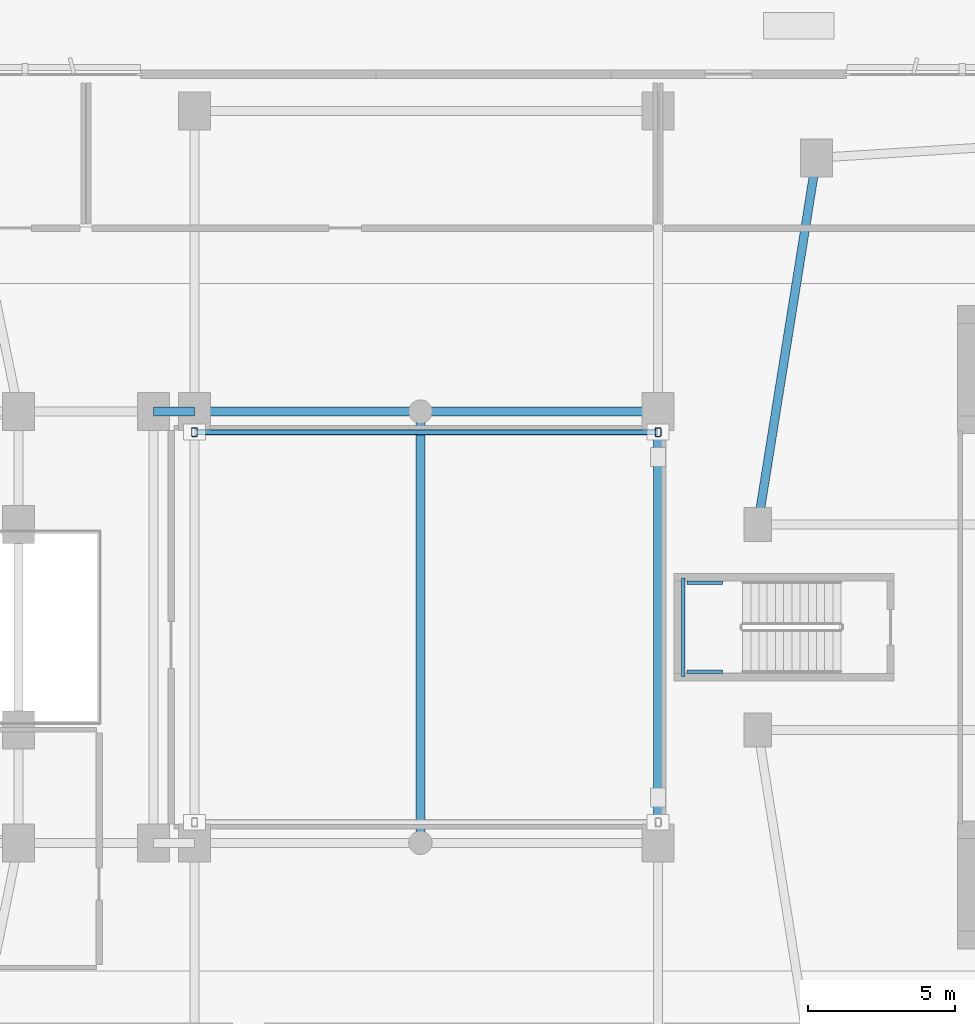
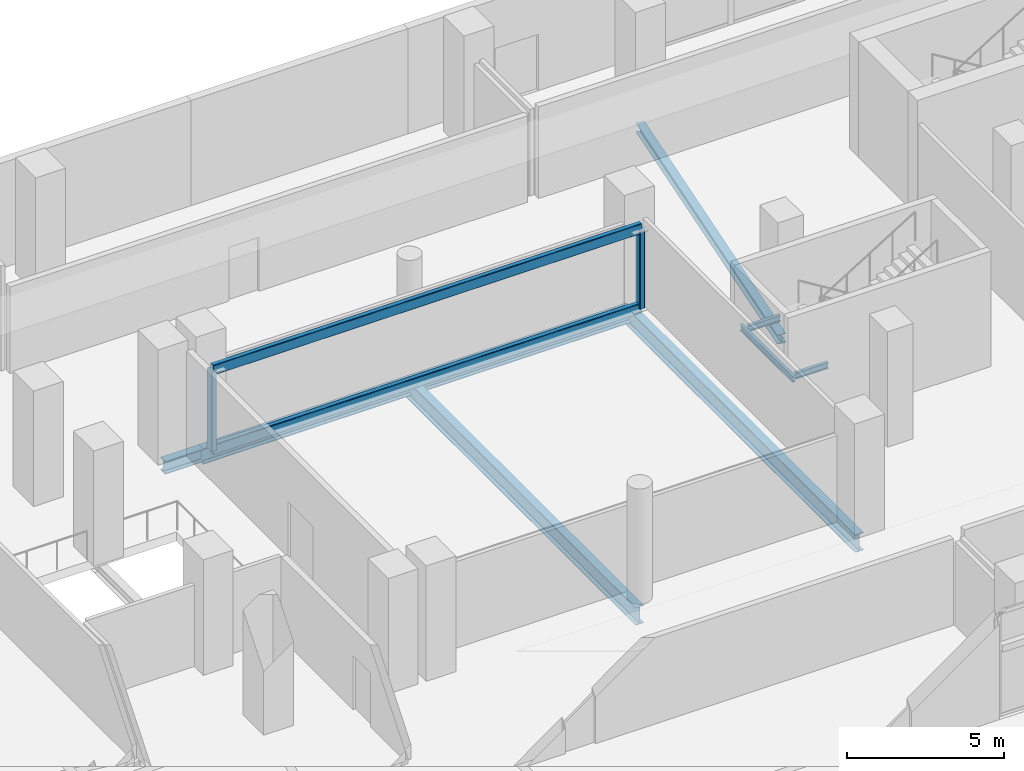
# One storey, part 6 of 31: 9 beams, 4 members.
"""IFC4 building model written with IfcOpenShell, lengths in metres."""

from ifc_helpers import new_model, si_unit, derived_unit, direction, frame, origin, origin_2d, place, context, subcontext, project, spatial, hollow_rectangle, i_section, extrude, material, material_profile, profile_set, type_object, element, save


model = new_model("IFC4")

# Units and contexts
model_context = context("Model", 3, precision=1e-05, world=origin(), true_north=direction((0.0, 1.0)))
body_context = subcontext(model_context, "Body", "Model", "MODEL_VIEW")
ifc_project = project(units=[si_unit("LENGTHUNIT", "METRE"), si_unit("AREAUNIT", "SQUARE_METRE"), si_unit("VOLUMEUNIT", "CUBIC_METRE"), si_unit("PLANEANGLEUNIT", "RADIAN"), si_unit("MASSUNIT", "GRAM", prefix="KILO"), derived_unit("THERMALTRANSMITTANCEUNIT", [(si_unit("POWERUNIT", "WATT"), 1), (si_unit("LENGTHUNIT", "METRE"), -2), (si_unit("THERMODYNAMICTEMPERATUREUNIT", "KELVIN"), -1)])], contexts=[model_context])

# Site, building, storey
site_placement = place(None, origin())
site = spatial("IfcSite", under=ifc_project, at=site_placement, CompositionType="ELEMENT")
building_placement = place(site_placement, origin())
building = spatial("IfcBuilding", under=site, at=building_placement, Name="Kivonza Crest Hotel", CompositionType="ELEMENT")
storey_placement = place(building_placement, frame((0.0, 0.0, 15.0)))
storey = spatial("IfcBuildingStorey", under=building, at=storey_placement, Name="L03", CompositionType="ELEMENT", Elevation=15.0)

# Beams
ifc_material = material(Name="Steel S355", Category="steel")
ifc_material_profile_1 = material_profile(ifc_material, i_section(OverallWidth=0.300048828125, OverallDepth=0.360107421875, WebThickness=0.012451171875, FlangeThickness=0.0224609375, FilletRadius=0.027099609375, at=origin_2d()), Name="HEB 360")
ifc_profile_set_1 = profile_set([ifc_material_profile_1], Name="Steel S355")
beam_type_1 = type_object("IfcBeamType", Name="BM-HEB360", PredefinedType="SPANDREL", material=ifc_profile_set_1)
beam_1_placement = place(storey_placement, frame((63.0, 41.0, -0.530029296875), z_axis=(-0.157990501107, -0.987440631917, 0.0), x_axis=(0.987440631917, -0.157990501107, 0.0)))
element("IfcBeam", 1, at=beam_1_placement, inside=storey, type_object=beam_type_1, Name="Companion Tower T2 L03 perimeter spandrel NW-W2", PredefinedType="SPANDREL", context=body_context, shape_type="SweptSolid", body=[
    extrude(i_section(OverallWidth=0.300048828125, OverallDepth=0.360107421875, WebThickness=0.012451171875, FlangeThickness=0.0224609375, FilletRadius=0.027099609375, at=origin_2d()), origin(), (0.0, 0.0, 1.0), 12.658935546875),
])
ifc_material_profile_2 = material_profile(ifc_material, i_section(OverallWidth=0.300048828125, OverallDepth=0.5, WebThickness=0.014404296875, FlangeThickness=0.028076171875, FilletRadius=0.027099609375, at=origin_2d()), Name="HEB 500")
ifc_profile_set_2 = profile_set([ifc_material_profile_2], Name="Steel S355")
beam_type_2 = type_object("IfcBeamType", Name="BM-HEB500", PredefinedType="BEAM", material=ifc_profile_set_2)
beam_2_placement = place(storey_placement, frame((40.39990234375, 32.35009765625, -0.60009765625), z_axis=(1.0, 0.0, 0.0), x_axis=(0.0, 1.0, 0.0)))
element("IfcBeam", 2, at=beam_2_placement, inside=storey, type_object=beam_type_2, Name="L03 podium girder X 21", PredefinedType="BEAM", context=body_context, shape_type="SweptSolid", body=[
    extrude(i_section(OverallWidth=0.300048828125, OverallDepth=0.5, WebThickness=0.014404296875, FlangeThickness=0.028076171875, FilletRadius=0.027099609375, at=origin_2d()), origin(), (0.0, 0.0, 1.0), 1.400146484375),
])
ifc_material_profile_3 = material_profile(ifc_material, i_section(OverallWidth=0.300048828125, OverallDepth=0.60009765625, WebThickness=0.015380859375, FlangeThickness=0.030029296875, FilletRadius=0.027099609375, at=origin_2d()), Name="HEB 600")
ifc_profile_set_3 = profile_set([ifc_material_profile_3], Name="Steel S355")
beam_type_3 = type_object("IfcBeamType", Name="BM-HEB600", PredefinedType="BEAM", material=ifc_profile_set_3)
beam_3_placement = place(storey_placement, frame((41.800048828125, 32.35009765625, -0.64990234375), z_axis=(1.0, 0.0, 0.0), x_axis=(0.0, 1.0, 0.0)))
element("IfcBeam", 3, at=beam_3_placement, inside=storey, type_object=beam_type_3, Name="L03 podium girder X 22", PredefinedType="BEAM", context=body_context, shape_type="SweptSolid", body=[
    extrude(i_section(OverallWidth=0.300048828125, OverallDepth=0.60009765625, WebThickness=0.015380859375, FlangeThickness=0.030029296875, FilletRadius=0.027099609375, at=origin_2d()), origin(), (0.0, 0.0, 1.0), 7.699951171875),
])
beam_4_placement = place(storey_placement, frame((49.5, 32.35009765625, -0.64990234375), z_axis=(1.0, 0.0, 0.0), x_axis=(0.0, 1.0, 0.0)))
element("IfcBeam", 4, at=beam_4_placement, inside=storey, type_object=beam_type_3, Name="L03 podium girder X 23", PredefinedType="BEAM", context=body_context, shape_type="SweptSolid", body=[
    extrude(i_section(OverallWidth=0.300048828125, OverallDepth=0.60009765625, WebThickness=0.015380859375, FlangeThickness=0.030029296875, FilletRadius=0.027099609375, at=origin_2d()), origin(), (0.0, 0.0, 1.0), 8.10009765625),
])
ifc_material_profile_4 = material_profile(ifc_material, i_section(OverallWidth=0.300048828125, OverallDepth=0.699951171875, WebThickness=0.01708984375, FlangeThickness=0.031982421875, FilletRadius=0.027099609375, at=origin_2d()), Name="HEB 700")
ifc_profile_set_4 = profile_set([ifc_material_profile_4], Name="Steel S355")
beam_type_4 = type_object("IfcBeamType", Name="BM-HEB700", PredefinedType="BEAM", material=ifc_profile_set_4)
for number, where, z_axis, x_axis, name in (
    (5, (49.5, 17.64990234375, -0.699951171875), (0.0, 1.0, 0.0), (-1.0, 0.0, 0.0), "L03 podium girder Y 40"),
    (6, (57.60009765625, 17.64990234375, -0.699951171875), (0.0, 1.0, 0.0), (-1.0, 0.0, 0.0), "L03 podium girder Y 42"),
):
    element("IfcBeam", number, at=place(storey_placement, frame(where, z_axis=z_axis, x_axis=x_axis)), inside=storey, type_object=beam_type_4, Name=name, PredefinedType="BEAM", context=body_context, shape_type="SweptSolid", body=[
        extrude(i_section(OverallWidth=0.300048828125, OverallDepth=0.699951171875, WebThickness=0.01708984375, FlangeThickness=0.031982421875, FilletRadius=0.027099609375, at=origin_2d()), origin(), (0.0, 0.0, 1.0), 14.7001953125),
    ])
ifc_material_profile_5 = material_profile(ifc_material, i_section(OverallWidth=0.1201171875, OverallDepth=0.239990234375, WebThickness=0.006103515625, FlangeThickness=0.009765625, FilletRadius=0.014892578125, at=origin_2d()), Name="IPE 240")
ifc_profile_set_5 = profile_set([ifc_material_profile_5], Name="Steel S355")
beam_type_5 = type_object("IfcBeamType", Name="BM-LLDG-240", PredefinedType="BEAM", material=ifc_profile_set_5)
beam_5_placement = place(storey_placement, frame((58.4599609375, 23.320068359375, 1.929931640625), z_axis=(0.0, 1.0, 0.0), x_axis=(-1.0, 0.0, 0.0)))
element("IfcBeam", 7, at=beam_5_placement, inside=storey, type_object=beam_type_5, Name="Stair ST-POD-E L03 West landing corbel", PredefinedType="BEAM", context=body_context, shape_type="SweptSolid", body=[
    extrude(i_section(OverallWidth=0.1201171875, OverallDepth=0.239990234375, WebThickness=0.006103515625, FlangeThickness=0.009765625, FilletRadius=0.014892578125, at=origin_2d()), origin(), (0.0, 0.0, 1.0), 3.35986328125),
])
for number, where, z_axis, x_axis, name in (
    (8, (58.590087890625, 23.47998046875, 1.929931640625), (1.0, 0.0, 0.0), (0.0, 1.0, 0.0), "Stair ST-POD-E L03 South landing corbel"),
    (9, (58.590087890625, 26.52001953125, 1.929931640625), (1.0, 0.0, 0.0), (0.0, 1.0, 0.0), "Stair ST-POD-E L03 North landing corbel"),
):
    element("IfcBeam", number, at=place(storey_placement, frame(where, z_axis=z_axis, x_axis=x_axis)), inside=storey, type_object=beam_type_5, Name=name, PredefinedType="BEAM", context=body_context, shape_type="SweptSolid", body=[
        extrude(i_section(OverallWidth=0.1201171875, OverallDepth=0.239990234375, WebThickness=0.006103515625, FlangeThickness=0.009765625, FilletRadius=0.014892578125, at=origin_2d()), origin(), (0.0, 0.0, 1.0), 1.2099609375),
    ])

# Members
ifc_material_profile_6 = material_profile(ifc_material, hollow_rectangle(XDim=0.199951171875, YDim=0.39990234375, WallThickness=0.01611328125, InnerFilletRadius=0.02392578125, OuterFilletRadius=0.0400390625, at=origin_2d()), Name="RHS 400x200x16")
ifc_profile_set_6 = profile_set([ifc_material_profile_6], Name="Steel S355")
member_type_1 = type_object("IfcMemberType", Name="MB-CHORD-RHS400", PredefinedType="CHORD", material=ifc_profile_set_6)
for number, where, z_axis, x_axis, name in (
    (10, (41.800048828125, 31.64990234375, 0.0), (1.0, 0.0, 0.0), (0.0, 1.0, 0.0), "Skybridge link truss BR-POD-L03-N bottom chord 1"),
    (11, (41.800048828125, 31.64990234375, 3.10009765625), (1.0, 0.0, 0.0), (0.0, 1.0, 0.0), "Skybridge link truss BR-POD-L03-N top chord 1"),
):
    element("IfcMember", number, at=place(storey_placement, frame(where, z_axis=z_axis, x_axis=x_axis)), inside=storey, type_object=member_type_1, Name=name, PredefinedType="CHORD", context=body_context, shape_type="SweptSolid", body=[
        extrude(hollow_rectangle(XDim=0.199951171875, YDim=0.39990234375, WallThickness=0.01611328125, InnerFilletRadius=0.02392578125, OuterFilletRadius=0.0400390625, at=origin_2d()), origin(), (0.0, 0.0, 1.0), 15.800048828125),
    ])
ifc_material_profile_7 = material_profile(ifc_material, hollow_rectangle(XDim=0.199951171875, YDim=0.300048828125, WallThickness=0.012451171875, InnerFilletRadius=0.018798828125, OuterFilletRadius=0.03125, at=origin_2d()), Name="RHS 300x200x12.5")
ifc_profile_set_7 = profile_set([ifc_material_profile_7], Name="Steel S355")
member_type_2 = type_object("IfcMemberType", Name="MB-POST-RHS300", PredefinedType="POST", material=ifc_profile_set_7)
for number, where, z_axis, x_axis, name in (
    (12, (41.800048828125, 31.64990234375, 0.0), (0.0, 0.0, 1.0), (1.0, 0.0, 0.0), "Skybridge link truss BR-POD-L03-N vertical post 1"),
    (13, (57.60009765625, 31.64990234375, 0.0), (0.0, 0.0, 1.0), (1.0, 0.0, 0.0), "Skybridge link truss BR-POD-L03-N vertical post 2"),
):
    element("IfcMember", number, at=place(storey_placement, frame(where, z_axis=z_axis, x_axis=x_axis)), inside=storey, type_object=member_type_2, Name=name, PredefinedType="POST", context=body_context, shape_type="SweptSolid", body=[
        extrude(hollow_rectangle(XDim=0.199951171875, YDim=0.300048828125, WallThickness=0.012451171875, InnerFilletRadius=0.018798828125, OuterFilletRadius=0.03125, at=origin_2d()), origin(), (0.0, 0.0, 1.0), 3.10009765625),
    ])

save(model, "model.ifc")
